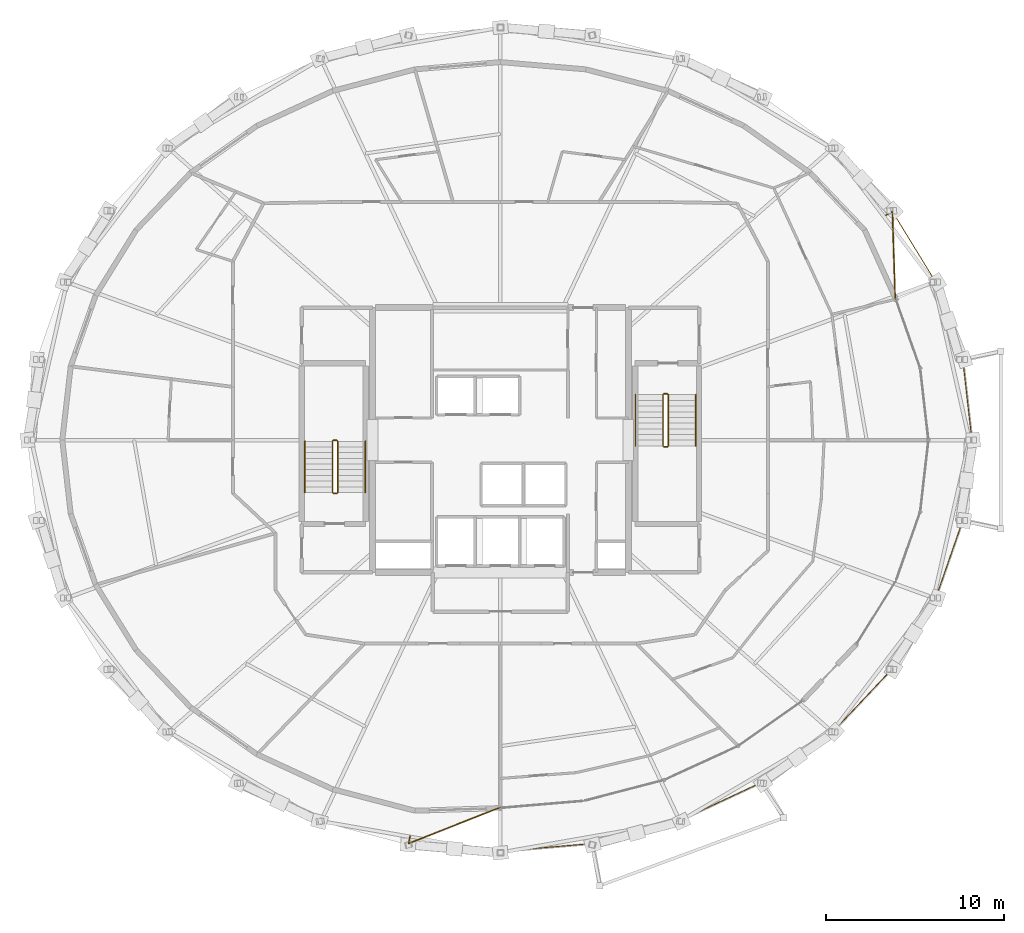
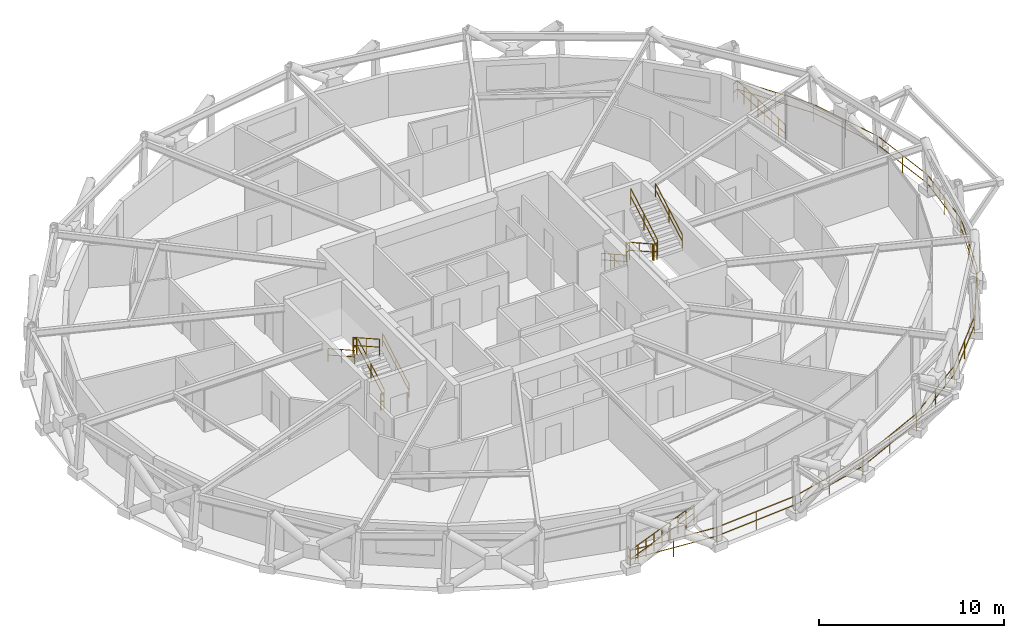
# One storey, part 17 of 17: 15 railings.
"""IFC4 building model written with IfcOpenShell, lengths in metres."""

from ifc_helpers import new_model, si_unit, direction, frame, origin, origin_2d, place, context, subcontext, project, spatial, circle, extrude, material, type_object, element, save


model = new_model("IFC4")

# Units and contexts
model_context = context("Model", 3, precision=1e-05, world=origin(), true_north=direction((0.0, 1.0)))
body_context = subcontext(model_context, "Body", "Model", "MODEL_VIEW")
ifc_project = project(units=[si_unit("LENGTHUNIT", "METRE"), si_unit("AREAUNIT", "SQUARE_METRE"), si_unit("VOLUMEUNIT", "CUBIC_METRE"), si_unit("PLANEANGLEUNIT", "RADIAN"), si_unit("MASSUNIT", "GRAM", prefix="KILO")], contexts=[model_context])

# Site, building, storey
site_placement = place(None, origin())
site = spatial("IfcSite", under=ifc_project, at=site_placement, CompositionType="ELEMENT")
building_placement = place(site_placement, origin())
building = spatial("IfcBuilding", under=site, at=building_placement, Name="Veldorina Hangang Commons", CompositionType="ELEMENT")
storey_placement = place(building_placement, frame((0.0, 0.0, 196.39990234375)))
storey = spatial("IfcBuildingStorey", under=building, at=storey_placement, Name="L51", CompositionType="ELEMENT", Elevation=196.39990234375)

# Railings
ifc_material_1 = material(Name="Glass Laminated Safety Balustrade", Category="glass")
railing_type_1 = type_object("IfcRailingType", Name="RL-BAL-LOGGIA", PredefinedType="BALUSTRADE", material=ifc_material_1)
railing_1_placement = place(storey_placement, frame((26.91943359375, 1.70654296875, 0.0)))
element("IfcRailing", 1, at=railing_1_placement, inside=storey, type_object=railing_type_1, Name="L51 sky-garden loggia end balustrade A", PredefinedType="BALUSTRADE", context=body_context, shape_type="SweptSolid", body=[
    extrude(circle(Radius=0.02392578125, at=origin_2d()), frame((0.0, 0.0, 1.17578125), z_axis=(-0.222098541254, -0.975024224301, 0.0), x_axis=(0.975024224301, -0.222098541254, 0.0)), (0.0, 0.0, 1.0), 0.419921875),
    extrude(circle(Radius=0.02392578125, at=origin_2d()), frame((0.0, 0.0, 0.60009765625), z_axis=(-0.222098541254, -0.975024224301, 0.0), x_axis=(0.975024224301, -0.222098541254, 0.0)), (0.0, 0.0, 1.0), 0.419921875),
    extrude(circle(Radius=0.02392578125, at=origin_2d()), frame((-0.09326171875, -0.409423828125, 1.17578125), z_axis=(0.930563499115, 0.366130542451, 0.0), x_axis=(-0.366130542451, 0.930563499115, 0.0)), (0.0, 0.0, 1.0), 5.559814453125),
    extrude(circle(Radius=0.02392578125, at=origin_2d()), frame((-0.09326171875, -0.409423828125, 0.60009765625), z_axis=(0.930563499115, 0.366130542451, 0.0), x_axis=(-0.366130542451, 0.930563499115, 0.0)), (0.0, 0.0, 1.0), 5.559814453125),
    extrude(circle(Radius=0.02099609375, at=origin_2d()), origin(), (0.0, 0.0, 1.0), 1.15185546875),
    extrude(circle(Radius=0.02099609375, at=origin_2d()), frame((-0.09326171875, -0.409423828125, 0.0)), (0.0, 0.0, 1.0), 1.15185546875),
    extrude(circle(Radius=0.02099609375, at=origin_2d()), frame((0.553466796875, -0.155029296875, 0.0)), (0.0, 0.0, 1.0), 1.15185546875),
    extrude(circle(Radius=0.02099609375, at=origin_2d()), frame((1.2001953125, 0.099609375, 0.0)), (0.0, 0.0, 1.0), 1.15185546875),
    extrude(circle(Radius=0.02099609375, at=origin_2d()), frame((1.846923828125, 0.35400390625, 0.0)), (0.0, 0.0, 1.0), 1.15185546875),
    extrude(circle(Radius=0.02099609375, at=origin_2d()), frame((2.49365234375, 0.6083984375, 0.0)), (0.0, 0.0, 1.0), 1.15185546875),
    extrude(circle(Radius=0.02099609375, at=origin_2d()), frame((3.140380859375, 0.86279296875, 0.0)), (0.0, 0.0, 1.0), 1.15185546875),
    extrude(circle(Radius=0.02099609375, at=origin_2d()), frame((3.787109375, 1.1171875, 0.0)), (0.0, 0.0, 1.0), 1.15185546875),
    extrude(circle(Radius=0.02099609375, at=origin_2d()), frame((4.433837890625, 1.371826171875, 0.0)), (0.0, 0.0, 1.0), 1.15185546875),
    extrude(circle(Radius=0.02099609375, at=origin_2d()), frame((5.08056640625, 1.626220703125, 0.0)), (0.0, 0.0, 1.0), 1.15185546875),
])
railing_2_placement = place(storey_placement, frame((53.695068359375, 36.652587890625, 0.0)))
element("IfcRailing", 2, at=railing_2_placement, inside=storey, type_object=railing_type_1, Name="L51 sky-garden loggia end balustrade B", PredefinedType="BALUSTRADE", context=body_context, shape_type="SweptSolid", body=[
    extrude(circle(Radius=0.02392578125, at=origin_2d()), frame((0.0, 0.0, 1.17578125), z_axis=(0.863989702869, 0.503509476908, 0.0), x_axis=(-0.503509476908, 0.863989702869, 0.0)), (0.0, 0.0, 1.0), 0.419921875),
    extrude(circle(Radius=0.02392578125, at=origin_2d()), frame((0.0, 0.0, 0.60009765625), z_axis=(0.863989702869, 0.503509476908, 0.0), x_axis=(-0.503509476908, 0.863989702869, 0.0)), (0.0, 0.0, 1.0), 0.419921875),
    extrude(circle(Radius=0.02392578125, at=origin_2d()), frame((0.36279296875, 0.21142578125, 1.17578125), z_axis=(0.032760402729, -0.999463233948, 0.0), x_axis=(0.999463233948, 0.032760402729, 0.0)), (0.0, 0.0, 1.0), 4.955810546875),
    extrude(circle(Radius=0.02392578125, at=origin_2d()), frame((0.36279296875, 0.21142578125, 0.60009765625), z_axis=(0.032760402729, -0.999463233948, 0.0), x_axis=(0.999463233948, 0.032760402729, 0.0)), (0.0, 0.0, 1.0), 4.955810546875),
    extrude(circle(Radius=0.02099609375, at=origin_2d()), origin(), (0.0, 0.0, 1.0), 1.15185546875),
    extrude(circle(Radius=0.02099609375, at=origin_2d()), frame((0.36279296875, 0.21142578125, 0.0)), (0.0, 0.0, 1.0), 1.15185546875),
    extrude(circle(Radius=0.02099609375, at=origin_2d()), frame((0.385986328125, -0.49609375, 0.0)), (0.0, 0.0, 1.0), 1.15185546875),
    extrude(circle(Radius=0.02099609375, at=origin_2d()), frame((0.4091796875, -1.203857421875, 0.0)), (0.0, 0.0, 1.0), 1.15185546875),
    extrude(circle(Radius=0.02099609375, at=origin_2d()), frame((0.432373046875, -1.911376953125, 0.0)), (0.0, 0.0, 1.0), 1.15185546875),
    extrude(circle(Radius=0.02099609375, at=origin_2d()), frame((0.45556640625, -2.618896484375, 0.0)), (0.0, 0.0, 1.0), 1.15185546875),
    extrude(circle(Radius=0.02099609375, at=origin_2d()), frame((0.478759765625, -3.326416015625, 0.0)), (0.0, 0.0, 1.0), 1.15185546875),
    extrude(circle(Radius=0.02099609375, at=origin_2d()), frame((0.501953125, -4.0341796875, 0.0)), (0.0, 0.0, 1.0), 1.15185546875),
    extrude(circle(Radius=0.02099609375, at=origin_2d()), frame((0.525146484375, -4.74169921875, 0.0)), (0.0, 0.0, 1.0), 1.15185546875),
])
railing_3_placement = place(storey_placement, frame((26.826171875, 1.297119140625, 0.0)))
element("IfcRailing", 3, at=railing_3_placement, inside=storey, type_object=railing_type_1, Name="L51 sky-garden loggia outer balustrade", PredefinedType="BALUSTRADE", context=body_context, shape_type="SweptSolid", body=[
    extrude(circle(Radius=0.02392578125, at=origin_2d()), frame((0.0, 0.0, 1.17578125), z_axis=(0.996332462376, -0.085566491201, 0.0), x_axis=(0.085566491201, 0.996332462376, 0.0)), (0.0, 0.0, 1.0), 5.19287109375),
    extrude(circle(Radius=0.02392578125, at=origin_2d()), frame((0.0, 0.0, 0.60009765625), z_axis=(0.996332462376, -0.085566491201, 0.0), x_axis=(0.085566491201, 0.996332462376, 0.0)), (0.0, 0.0, 1.0), 5.19287109375),
    extrude(circle(Radius=0.02392578125, at=origin_2d()), frame((5.173828125, -0.4443359375, 1.17578125), z_axis=(0.996332462376, 0.085566491201, 0.0), x_axis=(-0.085566491201, 0.996332462376, 0.0)), (0.0, 0.0, 1.0), 5.19287109375),
    extrude(circle(Radius=0.02392578125, at=origin_2d()), frame((5.173828125, -0.4443359375, 0.60009765625), z_axis=(0.996332462376, 0.085566491201, 0.0), x_axis=(-0.085566491201, 0.996332462376, 0.0)), (0.0, 0.0, 1.0), 5.19287109375),
    extrude(circle(Radius=0.02392578125, at=origin_2d()), frame((10.34765625, 0.0, 1.17578125), z_axis=(0.966763527689, 0.255672215016, 0.0), x_axis=(-0.255672215016, 0.966763527689, 0.0)), (0.0, 0.0, 1.0), 5.14697265625),
    extrude(circle(Radius=0.02392578125, at=origin_2d()), frame((10.34765625, 0.0, 0.60009765625), z_axis=(0.966763527689, 0.255672215016, 0.0), x_axis=(-0.255672215016, 0.966763527689, 0.0)), (0.0, 0.0, 1.0), 5.14697265625),
    extrude(circle(Radius=0.02392578125, at=origin_2d()), frame((15.323486328125, 1.31591796875, 1.17578125), z_axis=(0.906382721374, 0.422457527326, 0.0), x_axis=(-0.422457527326, 0.906382721374, 0.0)), (0.0, 0.0, 1.0), 5.06005859375),
    extrude(circle(Radius=0.02392578125, at=origin_2d()), frame((15.323486328125, 1.31591796875, 0.60009765625), z_axis=(0.906382721374, 0.422457527326, 0.0), x_axis=(-0.422457527326, 0.906382721374, 0.0)), (0.0, 0.0, 1.0), 5.06005859375),
    extrude(circle(Radius=0.02392578125, at=origin_2d()), frame((19.909912109375, 3.45361328125, 1.17578125), z_axis=(0.813202687032, 0.581980575109, 0.0), x_axis=(-0.581980575109, 0.813202687032, 0.0)), (0.0, 0.0, 1.0), 4.944580078125),
    extrude(circle(Radius=0.02392578125, at=origin_2d()), frame((19.909912109375, 3.45361328125, 0.60009765625), z_axis=(0.813202687032, 0.581980575109, 0.0), x_axis=(-0.581980575109, 0.813202687032, 0.0)), (0.0, 0.0, 1.0), 4.944580078125),
    extrude(circle(Radius=0.02392578125, at=origin_2d()), frame((23.930908203125, 6.331298828125, 1.17578125), z_axis=(0.685314101445, 0.728247610611, 0.0), x_axis=(-0.728247610611, 0.685314101445, 0.0)), (0.0, 0.0, 1.0), 4.81640625),
    extrude(circle(Radius=0.02392578125, at=origin_2d()), frame((23.930908203125, 6.331298828125, 0.60009765625), z_axis=(0.685314101445, 0.728247610611, 0.0), x_axis=(-0.728247610611, 0.685314101445, 0.0)), (0.0, 0.0, 1.0), 4.81640625),
    extrude(circle(Radius=0.02392578125, at=origin_2d()), frame((27.231689453125, 9.8388671875, 1.17578125), z_axis=(0.522564496976, 0.852599757507, 0.0), x_axis=(-0.852599757507, 0.522564496976, 0.0)), (0.0, 0.0, 1.0), 4.6943359375),
    extrude(circle(Radius=0.02392578125, at=origin_2d()), frame((27.231689453125, 9.8388671875, 0.60009765625), z_axis=(0.522564496976, 0.852599757507, 0.0), x_axis=(-0.852599757507, 0.522564496976, 0.0)), (0.0, 0.0, 1.0), 4.6943359375),
    extrude(circle(Radius=0.02392578125, at=origin_2d()), frame((29.684814453125, 13.84130859375, 1.17578125), z_axis=(0.328479447029, 0.944511118452, 0.0), x_axis=(-0.944511118452, 0.328479447029, 0.0)), (0.0, 0.0, 1.0), 4.59912109375),
    extrude(circle(Radius=0.02392578125, at=origin_2d()), frame((29.684814453125, 13.84130859375, 0.60009765625), z_axis=(0.328479447029, 0.944511118452, 0.0), x_axis=(-0.944511118452, 0.328479447029, 0.0)), (0.0, 0.0, 1.0), 4.59912109375),
    extrude(circle(Radius=0.02392578125, at=origin_2d()), frame((31.195556640625, 18.185302734375, 1.17578125), z_axis=(0.112234909073, 0.993681702149, 0.0), x_axis=(-0.993681702149, 0.112234909073, 0.0)), (0.0, 0.0, 1.0), 4.54638671875),
    extrude(circle(Radius=0.02392578125, at=origin_2d()), frame((31.195556640625, 18.185302734375, 0.60009765625), z_axis=(0.112234909073, 0.993681702149, 0.0), x_axis=(-0.993681702149, 0.112234909073, 0.0)), (0.0, 0.0, 1.0), 4.54638671875),
    extrude(circle(Radius=0.02392578125, at=origin_2d()), frame((31.705810546875, 22.702880859375, 1.17578125), z_axis=(-0.112234909073, 0.993681702149, 0.0), x_axis=(-0.993681702149, -0.112234909073, 0.0)), (0.0, 0.0, 1.0), 4.54638671875),
    extrude(circle(Radius=0.02392578125, at=origin_2d()), frame((31.705810546875, 22.702880859375, 0.60009765625), z_axis=(-0.112234909073, 0.993681702149, 0.0), x_axis=(-0.993681702149, -0.112234909073, 0.0)), (0.0, 0.0, 1.0), 4.54638671875),
    extrude(circle(Radius=0.02392578125, at=origin_2d()), frame((31.195556640625, 27.220458984375, 1.17578125), z_axis=(-0.328479447029, 0.944511118452, 0.0), x_axis=(-0.944511118452, -0.328479447029, 0.0)), (0.0, 0.0, 1.0), 4.59912109375),
    extrude(circle(Radius=0.02392578125, at=origin_2d()), frame((31.195556640625, 27.220458984375, 0.60009765625), z_axis=(-0.328479447029, 0.944511118452, 0.0), x_axis=(-0.944511118452, -0.328479447029, 0.0)), (0.0, 0.0, 1.0), 4.59912109375),
    extrude(circle(Radius=0.02392578125, at=origin_2d()), frame((29.684814453125, 31.564453125, 1.17578125), z_axis=(-0.522564496976, 0.852599757507, 0.0), x_axis=(-0.852599757507, -0.522564496976, 0.0)), (0.0, 0.0, 1.0), 4.6943359375),
    extrude(circle(Radius=0.02392578125, at=origin_2d()), frame((29.684814453125, 31.564453125, 0.60009765625), z_axis=(-0.522564496976, 0.852599757507, 0.0), x_axis=(-0.852599757507, -0.522564496976, 0.0)), (0.0, 0.0, 1.0), 4.6943359375),
    extrude(circle(Radius=0.02099609375, at=origin_2d()), origin(), (0.0, 0.0, 1.0), 1.15185546875),
    extrude(circle(Radius=0.02099609375, at=origin_2d()), frame((2.5869140625, -0.22216796875, 0.0)), (0.0, 0.0, 1.0), 1.15185546875),
    extrude(circle(Radius=0.02099609375, at=origin_2d()), frame((5.173828125, -0.4443359375, 0.0)), (0.0, 0.0, 1.0), 1.15185546875),
    extrude(circle(Radius=0.02099609375, at=origin_2d()), frame((7.7607421875, -0.22216796875, 0.0)), (0.0, 0.0, 1.0), 1.15185546875),
    extrude(circle(Radius=0.02099609375, at=origin_2d()), frame((10.34765625, 0.0, 0.0)), (0.0, 0.0, 1.0), 1.15185546875),
    extrude(circle(Radius=0.02099609375, at=origin_2d()), frame((12.83544921875, 0.657958984375, 0.0)), (0.0, 0.0, 1.0), 1.15185546875),
    extrude(circle(Radius=0.02099609375, at=origin_2d()), frame((15.323486328125, 1.31591796875, 0.0)), (0.0, 0.0, 1.0), 1.15185546875),
    extrude(circle(Radius=0.02099609375, at=origin_2d()), frame((17.61669921875, 2.384765625, 0.0)), (0.0, 0.0, 1.0), 1.15185546875),
    extrude(circle(Radius=0.02099609375, at=origin_2d()), frame((19.909912109375, 3.45361328125, 0.0)), (0.0, 0.0, 1.0), 1.15185546875),
    extrude(circle(Radius=0.02099609375, at=origin_2d()), frame((21.92041015625, 4.892578125, 0.0)), (0.0, 0.0, 1.0), 1.15185546875),
    extrude(circle(Radius=0.02099609375, at=origin_2d()), frame((23.930908203125, 6.331298828125, 0.0)), (0.0, 0.0, 1.0), 1.15185546875),
    extrude(circle(Radius=0.02099609375, at=origin_2d()), frame((25.581298828125, 8.0849609375, 0.0)), (0.0, 0.0, 1.0), 1.15185546875),
    extrude(circle(Radius=0.02099609375, at=origin_2d()), frame((27.231689453125, 9.8388671875, 0.0)), (0.0, 0.0, 1.0), 1.15185546875),
    extrude(circle(Radius=0.02099609375, at=origin_2d()), frame((28.458251953125, 11.840087890625, 0.0)), (0.0, 0.0, 1.0), 1.15185546875),
    extrude(circle(Radius=0.02099609375, at=origin_2d()), frame((29.684814453125, 13.84130859375, 0.0)), (0.0, 0.0, 1.0), 1.15185546875),
    extrude(circle(Radius=0.02099609375, at=origin_2d()), frame((30.440185546875, 16.01318359375, 0.0)), (0.0, 0.0, 1.0), 1.15185546875),
    extrude(circle(Radius=0.02099609375, at=origin_2d()), frame((31.195556640625, 18.185302734375, 0.0)), (0.0, 0.0, 1.0), 1.15185546875),
    extrude(circle(Radius=0.02099609375, at=origin_2d()), frame((31.45068359375, 20.444091796875, 0.0)), (0.0, 0.0, 1.0), 1.15185546875),
    extrude(circle(Radius=0.02099609375, at=origin_2d()), frame((31.705810546875, 22.702880859375, 0.0)), (0.0, 0.0, 1.0), 1.15185546875),
    extrude(circle(Radius=0.02099609375, at=origin_2d()), frame((31.45068359375, 24.961669921875, 0.0)), (0.0, 0.0, 1.0), 1.15185546875),
    extrude(circle(Radius=0.02099609375, at=origin_2d()), frame((31.195556640625, 27.220458984375, 0.0)), (0.0, 0.0, 1.0), 1.15185546875),
    extrude(circle(Radius=0.02099609375, at=origin_2d()), frame((30.440185546875, 29.392578125, 0.0)), (0.0, 0.0, 1.0), 1.15185546875),
    extrude(circle(Radius=0.02099609375, at=origin_2d()), frame((29.684814453125, 31.564453125, 0.0)), (0.0, 0.0, 1.0), 1.15185546875),
    extrude(circle(Radius=0.02099609375, at=origin_2d()), frame((28.458251953125, 33.565673828125, 0.0)), (0.0, 0.0, 1.0), 1.15185546875),
    extrude(circle(Radius=0.02099609375, at=origin_2d()), frame((27.231689453125, 35.56689453125, 0.0)), (0.0, 0.0, 1.0), 1.15185546875),
])
ifc_material_2 = material(Name="Steel Painted Balustrade", Category="steel")
railing_type_2 = type_object("IfcRailingType", Name="RL-GRD-STAIR", PredefinedType="GUARDRAIL", material=ifc_material_2)
railing_4_placement = place(storey_placement, frame((22.85009765625, 21.050048828125, 0.18017578125)))
element("IfcRailing", 4, at=railing_4_placement, inside=storey, type_object=railing_type_2, Name="L51 ST-1 stair guard 1", PredefinedType="GUARDRAIL", context=body_context, shape_type="SweptSolid", body=[
    extrude(circle(Radius=0.02392578125, at=origin_2d()), frame((0.0, 0.0, 1.076171875), z_axis=(0.0, 0.871583430097, 0.490247207417), x_axis=(-1.0, 0.0, 0.0)), (0.0, 0.0, 1.0), 3.30419921875),
    extrude(circle(Radius=0.02392578125, at=origin_2d()), frame((0.0, 0.0, 0.550048828125), z_axis=(0.0, 0.871583430097, 0.490247207417), x_axis=(-1.0, 0.0, 0.0)), (0.0, 0.0, 1.0), 3.30419921875),
    extrude(circle(Radius=0.02099609375, at=origin_2d()), origin(), (0.0, 0.0, 1.0), 1.052001953125),
    extrude(circle(Radius=0.02099609375, at=origin_2d()), frame((0.0, 1.43994140625, 0.81005859375)), (0.0, 0.0, 1.0), 1.052001953125),
    extrude(circle(Radius=0.02099609375, at=origin_2d()), frame((0.0, 2.8798828125, 1.619873046875)), (0.0, 0.0, 1.0), 1.052001953125),
])
railing_5_placement = place(storey_placement, frame((22.800048828125, 23.97998046875, 1.800048828125)))
element("IfcRailing", 5, at=railing_5_placement, inside=storey, type_object=railing_type_2, Name="L51 ST-1 stair guard 2", PredefinedType="GUARDRAIL", context=body_context, shape_type="SweptSolid", body=[
    extrude(circle(Radius=0.02392578125, at=origin_2d()), frame((0.0, 0.0, 1.076171875), z_axis=(-1.0, 0.0, 0.0), x_axis=(0.0, -1.0, 0.0)), (0.0, 0.0, 1.0), 0.199951171875),
    extrude(circle(Radius=0.02392578125, at=origin_2d()), frame((0.0, 0.0, 0.550048828125), z_axis=(-1.0, 0.0, 0.0), x_axis=(0.0, -1.0, 0.0)), (0.0, 0.0, 1.0), 0.199951171875),
    extrude(circle(Radius=0.02099609375, at=origin_2d()), origin(), (0.0, 0.0, 1.0), 1.052001953125),
    extrude(circle(Radius=0.02099609375, at=origin_2d()), frame((-0.199951171875, 0.0, 0.0)), (0.0, 0.0, 1.0), 1.052001953125),
])
railing_6_placement = place(storey_placement, frame((22.550048828125, 23.929931640625, 1.97998046875)))
element("IfcRailing", 6, at=railing_6_placement, inside=storey, type_object=railing_type_2, Name="L51 ST-1 stair guard 3", PredefinedType="GUARDRAIL", context=body_context, shape_type="SweptSolid", body=[
    extrude(circle(Radius=0.02392578125, at=origin_2d()), frame((0.0, 0.0, 1.076171875), z_axis=(0.0, -0.87155185771, 0.490303333991), x_axis=(1.0, 0.0, 0.0)), (0.0, 0.0, 1.0), 3.30419921875),
    extrude(circle(Radius=0.02392578125, at=origin_2d()), frame((0.0, 0.0, 0.550048828125), z_axis=(0.0, -0.87155185771, 0.490303333991), x_axis=(1.0, 0.0, 0.0)), (0.0, 0.0, 1.0), 3.30419921875),
    extrude(circle(Radius=0.02099609375, at=origin_2d()), origin(), (0.0, 0.0, 1.0), 1.052001953125),
    extrude(circle(Radius=0.02099609375, at=origin_2d()), frame((0.0, -1.43994140625, 0.81005859375)), (0.0, 0.0, 1.0), 1.052001953125),
    extrude(circle(Radius=0.02099609375, at=origin_2d()), frame((0.0, -2.8798828125, 1.6201171875)), (0.0, 0.0, 1.0), 1.052001953125),
])
railing_7_placement = place(storey_placement, frame((22.800048828125, 21.0, 0.0)))
element("IfcRailing", 7, at=railing_7_placement, inside=storey, type_object=railing_type_2, Name="L51 ST-1 stair guard 4", PredefinedType="GUARDRAIL", context=body_context, shape_type="SweptSolid", body=[
    extrude(circle(Radius=0.02392578125, at=origin_2d()), frame((0.0, 0.0, 1.076171875), z_axis=(-1.0, 0.0, 0.0), x_axis=(0.0, -1.0, 0.0)), (0.0, 0.0, 1.0), 0.199951171875),
    extrude(circle(Radius=0.02392578125, at=origin_2d()), frame((0.0, 0.0, 0.550048828125), z_axis=(-1.0, 0.0, 0.0), x_axis=(0.0, -1.0, 0.0)), (0.0, 0.0, 1.0), 0.199951171875),
    extrude(circle(Radius=0.02099609375, at=origin_2d()), origin(), (0.0, 0.0, 1.0), 1.052001953125),
    extrude(circle(Radius=0.02099609375, at=origin_2d()), frame((-0.199951171875, 0.0, 0.0)), (0.0, 0.0, 1.0), 1.052001953125),
])
railing_8_placement = place(storey_placement, frame((41.14990234375, 26.550048828125, 0.18017578125)))
element("IfcRailing", 8, at=railing_8_placement, inside=storey, type_object=railing_type_2, Name="L51 ST-2 stair guard 1", PredefinedType="GUARDRAIL", context=body_context, shape_type="SweptSolid", body=[
    extrude(circle(Radius=0.02392578125, at=origin_2d()), frame((0.0, 0.0, 1.076171875), z_axis=(0.0, -0.871601186807, 0.490215637405), x_axis=(1.0, 0.0, 0.0)), (0.0, 0.0, 1.0), 3.304443359375),
    extrude(circle(Radius=0.02392578125, at=origin_2d()), frame((0.0, 0.0, 0.550048828125), z_axis=(0.0, -0.871601186807, 0.490215637405), x_axis=(1.0, 0.0, 0.0)), (0.0, 0.0, 1.0), 3.304443359375),
    extrude(circle(Radius=0.02099609375, at=origin_2d()), origin(), (0.0, 0.0, 1.0), 1.052001953125),
    extrude(circle(Radius=0.02099609375, at=origin_2d()), frame((0.0, -1.43994140625, 0.81005859375)), (0.0, 0.0, 1.0), 1.052001953125),
    extrude(circle(Radius=0.02099609375, at=origin_2d()), frame((0.0, -2.880126953125, 1.619873046875)), (0.0, 0.0, 1.0), 1.052001953125),
])
railing_9_placement = place(storey_placement, frame((41.199951171875, 23.6201171875, 1.800048828125)))
element("IfcRailing", 9, at=railing_9_placement, inside=storey, type_object=railing_type_2, Name="L51 ST-2 stair guard 2", PredefinedType="GUARDRAIL", context=body_context, shape_type="SweptSolid", body=[
    extrude(circle(Radius=0.02392578125, at=origin_2d()), frame((0.0, 0.0, 1.076171875), z_axis=(1.0, 0.0, 0.0), x_axis=(0.0, 1.0, 0.0)), (0.0, 0.0, 1.0), 0.199951171875),
    extrude(circle(Radius=0.02392578125, at=origin_2d()), frame((0.0, 0.0, 0.550048828125), z_axis=(1.0, 0.0, 0.0), x_axis=(0.0, 1.0, 0.0)), (0.0, 0.0, 1.0), 0.199951171875),
    extrude(circle(Radius=0.02099609375, at=origin_2d()), origin(), (0.0, 0.0, 1.0), 1.052001953125),
    extrude(circle(Radius=0.02099609375, at=origin_2d()), frame((0.199951171875, 0.0, 0.0)), (0.0, 0.0, 1.0), 1.052001953125),
])
railing_10_placement = place(storey_placement, frame((41.449951171875, 23.669921875, 1.97998046875)))
element("IfcRailing", 10, at=railing_10_placement, inside=storey, type_object=railing_type_2, Name="L51 ST-2 stair guard 3", PredefinedType="GUARDRAIL", context=body_context, shape_type="SweptSolid", body=[
    extrude(circle(Radius=0.02392578125, at=origin_2d()), frame((0.0, 0.0, 1.076171875), z_axis=(0.0, 0.871569617843, 0.490271762652), x_axis=(-1.0, 0.0, 0.0)), (0.0, 0.0, 1.0), 3.304443359375),
    extrude(circle(Radius=0.02392578125, at=origin_2d()), frame((0.0, 0.0, 0.550048828125), z_axis=(0.0, 0.871569617843, 0.490271762652), x_axis=(-1.0, 0.0, 0.0)), (0.0, 0.0, 1.0), 3.304443359375),
    extrude(circle(Radius=0.02099609375, at=origin_2d()), origin(), (0.0, 0.0, 1.0), 1.052001953125),
    extrude(circle(Radius=0.02099609375, at=origin_2d()), frame((0.0, 1.43994140625, 0.81005859375)), (0.0, 0.0, 1.0), 1.052001953125),
    extrude(circle(Radius=0.02099609375, at=origin_2d()), frame((0.0, 2.880126953125, 1.6201171875)), (0.0, 0.0, 1.0), 1.052001953125),
])
railing_11_placement = place(storey_placement, frame((41.199951171875, 26.60009765625, 0.0)))
element("IfcRailing", 11, at=railing_11_placement, inside=storey, type_object=railing_type_2, Name="L51 ST-2 stair guard 4", PredefinedType="GUARDRAIL", context=body_context, shape_type="SweptSolid", body=[
    extrude(circle(Radius=0.02392578125, at=origin_2d()), frame((0.0, 0.0, 1.076171875), z_axis=(1.0, 0.0, 0.0), x_axis=(0.0, 1.0, 0.0)), (0.0, 0.0, 1.0), 0.199951171875),
    extrude(circle(Radius=0.02392578125, at=origin_2d()), frame((0.0, 0.0, 0.550048828125), z_axis=(1.0, 0.0, 0.0), x_axis=(0.0, 1.0, 0.0)), (0.0, 0.0, 1.0), 0.199951171875),
    extrude(circle(Radius=0.02099609375, at=origin_2d()), origin(), (0.0, 0.0, 1.0), 1.052001953125),
    extrude(circle(Radius=0.02099609375, at=origin_2d()), frame((0.199951171875, 0.0, 0.0)), (0.0, 0.0, 1.0), 1.052001953125),
])
ifc_material_3 = material(Name="Stainless Steel Brushed 316", Category="steel")
railing_type_3 = type_object("IfcRailingType", Name="RL-HND-STAIR", PredefinedType="HANDRAIL", material=ifc_material_3)
railing_12_placement = place(storey_placement, frame((24.39990234375, 21.050048828125, 0.18017578125)))
element("IfcRailing", 12, at=railing_12_placement, inside=storey, type_object=railing_type_3, Name="L51 ST-1 stair handrail 1", PredefinedType="HANDRAIL", context=body_context, shape_type="SweptSolid", body=[
    extrude(circle(Radius=0.02392578125, at=origin_2d()), frame((0.0, 0.0, 0.8759765625), z_axis=(0.0, 0.871583430097, 0.490247207417), x_axis=(-1.0, 0.0, 0.0)), (0.0, 0.0, 1.0), 3.30419921875),
    extrude(circle(Radius=0.02392578125, at=origin_2d()), frame((0.0, 0.0, 0.449951171875), z_axis=(0.0, 0.871583430097, 0.490247207417), x_axis=(-1.0, 0.0, 0.0)), (0.0, 0.0, 1.0), 3.30419921875),
    extrude(circle(Radius=0.02099609375, at=origin_2d()), origin(), (0.0, 0.0, 1.0), 0.851806640625),
    extrude(circle(Radius=0.02099609375, at=origin_2d()), frame((0.0, 1.43994140625, 0.81005859375)), (0.0, 0.0, 1.0), 0.851806640625),
    extrude(circle(Radius=0.02099609375, at=origin_2d()), frame((0.0, 2.8798828125, 1.619873046875)), (0.0, 0.0, 1.0), 0.851806640625),
])
railing_13_placement = place(storey_placement, frame((21.0, 23.929931640625, 1.97998046875)))
element("IfcRailing", 13, at=railing_13_placement, inside=storey, type_object=railing_type_3, Name="L51 ST-1 stair handrail 2", PredefinedType="HANDRAIL", context=body_context, shape_type="SweptSolid", body=[
    extrude(circle(Radius=0.02392578125, at=origin_2d()), frame((0.0, 0.0, 0.8759765625), z_axis=(0.0, -0.87155185771, 0.490303333991), x_axis=(1.0, 0.0, 0.0)), (0.0, 0.0, 1.0), 3.30419921875),
    extrude(circle(Radius=0.02392578125, at=origin_2d()), frame((0.0, 0.0, 0.449951171875), z_axis=(0.0, -0.87155185771, 0.490303333991), x_axis=(1.0, 0.0, 0.0)), (0.0, 0.0, 1.0), 3.30419921875),
    extrude(circle(Radius=0.02099609375, at=origin_2d()), origin(), (0.0, 0.0, 1.0), 0.851806640625),
    extrude(circle(Radius=0.02099609375, at=origin_2d()), frame((0.0, -1.43994140625, 0.81005859375)), (0.0, 0.0, 1.0), 0.851806640625),
    extrude(circle(Radius=0.02099609375, at=origin_2d()), frame((0.0, -2.8798828125, 1.6201171875)), (0.0, 0.0, 1.0), 0.851806640625),
])
railing_14_placement = place(storey_placement, frame((39.60009765625, 26.550048828125, 0.18017578125)))
element("IfcRailing", 14, at=railing_14_placement, inside=storey, type_object=railing_type_3, Name="L51 ST-2 stair handrail 1", PredefinedType="HANDRAIL", context=body_context, shape_type="SweptSolid", body=[
    extrude(circle(Radius=0.02392578125, at=origin_2d()), frame((0.0, 0.0, 0.8759765625), z_axis=(0.0, -0.871601186807, 0.490215637405), x_axis=(1.0, 0.0, 0.0)), (0.0, 0.0, 1.0), 3.304443359375),
    extrude(circle(Radius=0.02392578125, at=origin_2d()), frame((0.0, 0.0, 0.449951171875), z_axis=(0.0, -0.871601186807, 0.490215637405), x_axis=(1.0, 0.0, 0.0)), (0.0, 0.0, 1.0), 3.304443359375),
    extrude(circle(Radius=0.02099609375, at=origin_2d()), origin(), (0.0, 0.0, 1.0), 0.851806640625),
    extrude(circle(Radius=0.02099609375, at=origin_2d()), frame((0.0, -1.43994140625, 0.81005859375)), (0.0, 0.0, 1.0), 0.851806640625),
    extrude(circle(Radius=0.02099609375, at=origin_2d()), frame((0.0, -2.880126953125, 1.619873046875)), (0.0, 0.0, 1.0), 0.851806640625),
])
railing_15_placement = place(storey_placement, frame((43.0, 23.669921875, 1.97998046875)))
element("IfcRailing", 15, at=railing_15_placement, inside=storey, type_object=railing_type_3, Name="L51 ST-2 stair handrail 2", PredefinedType="HANDRAIL", context=body_context, shape_type="SweptSolid", body=[
    extrude(circle(Radius=0.02392578125, at=origin_2d()), frame((0.0, 0.0, 0.8759765625), z_axis=(0.0, 0.871569617843, 0.490271762652), x_axis=(-1.0, 0.0, 0.0)), (0.0, 0.0, 1.0), 3.304443359375),
    extrude(circle(Radius=0.02392578125, at=origin_2d()), frame((0.0, 0.0, 0.449951171875), z_axis=(0.0, 0.871569617843, 0.490271762652), x_axis=(-1.0, 0.0, 0.0)), (0.0, 0.0, 1.0), 3.304443359375),
    extrude(circle(Radius=0.02099609375, at=origin_2d()), origin(), (0.0, 0.0, 1.0), 0.851806640625),
    extrude(circle(Radius=0.02099609375, at=origin_2d()), frame((0.0, 1.43994140625, 0.81005859375)), (0.0, 0.0, 1.0), 0.851806640625),
    extrude(circle(Radius=0.02099609375, at=origin_2d()), frame((0.0, 2.880126953125, 1.6201171875)), (0.0, 0.0, 1.0), 0.851806640625),
])

save(model, "model.ifc")
